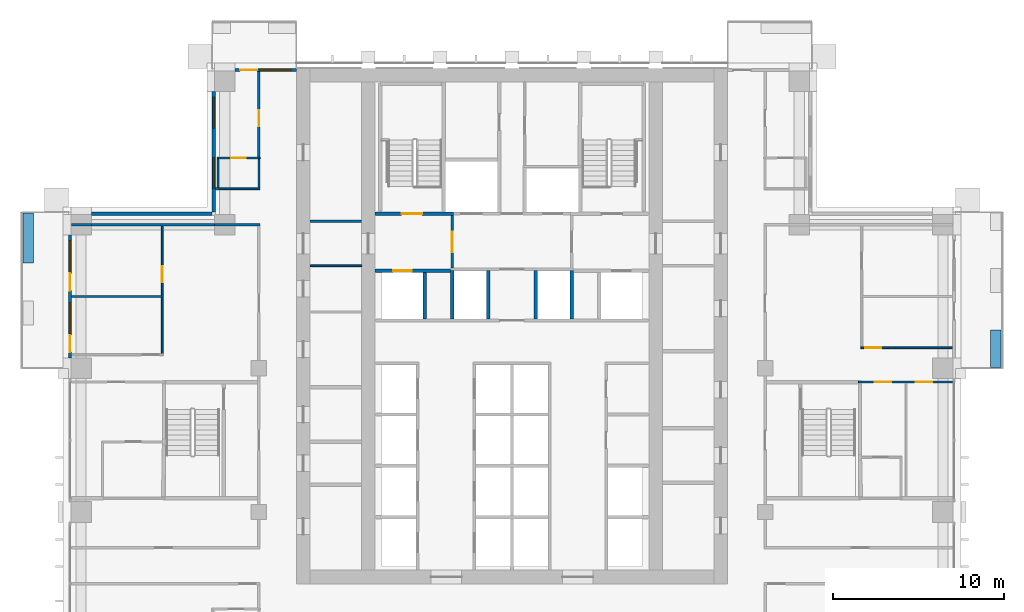
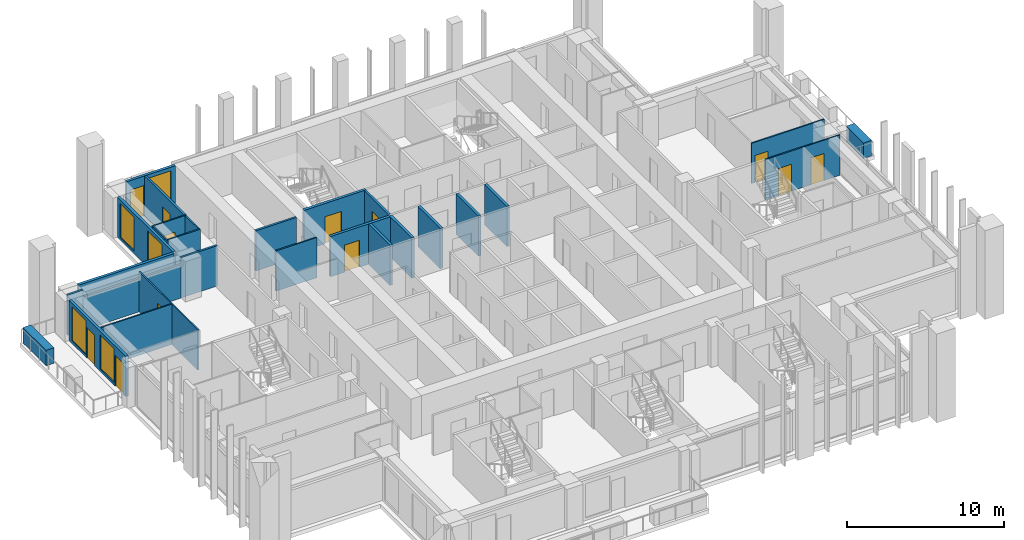
# One storey, part 10 of 17: 29 walls, 12 doors, 5 windows, 17 openings.
"""IFC4 building model written with IfcOpenShell, lengths in metres."""

from ifc_helpers import new_model, si_unit, direction, frame, frame_2d, origin, place, context, subcontext, project, spatial, rectangle, extrude, material, layer, layer_set, type_object, element, fill, save


model = new_model("IFC4")

# Units and contexts
model_context = context("Model", 3, precision=1e-05, world=origin(), true_north=direction((0.0, 1.0)))
body_context = subcontext(model_context, "Body", "Model", "MODEL_VIEW")
ifc_project = project(units=[si_unit("LENGTHUNIT", "METRE"), si_unit("AREAUNIT", "SQUARE_METRE"), si_unit("VOLUMEUNIT", "CUBIC_METRE"), si_unit("PLANEANGLEUNIT", "RADIAN"), si_unit("MASSUNIT", "GRAM", prefix="KILO")], contexts=[model_context])

# Site, building, storey
site_placement = place(None, origin())
site = spatial("IfcSite", under=ifc_project, at=site_placement, CompositionType="ELEMENT")
building_placement = place(site_placement, origin())
building = spatial("IfcBuilding", under=site, at=building_placement, Name="Vermilion Ogive Tower", CompositionType="ELEMENT")
storey_placement = place(building_placement, frame((0.0, 0.0, 111.449951171875)))
storey = spatial("IfcBuildingStorey", under=building, at=storey_placement, Name="L28", CompositionType="ELEMENT", Elevation=111.449951171875)

# Wall
ifc_material_1 = material(Name="Gypsum board partition on steel studs", Category="steel")
ifc_layer_1 = layer(ifc_material_1, 0.10009765625)
ifc_layer_set_1 = layer_set([ifc_layer_1], Name="Partition 100 bath")
wall_type_1 = type_object("IfcWallType", Name="Partition 100 bath", PredefinedType="PARTITIONING", material=ifc_layer_set_1)
wall_1_placement = place(storey_placement, frame((-17.25, 14.699951171875, 0.0), z_axis=(0.0, 0.0, 1.0), x_axis=(1.0, 0.0, 0.0)))
element("IfcWall", 1, at=wall_1_placement, inside=storey, type_object=wall_type_1, Name="L28-W-W038", PredefinedType="PARTITIONING", context=body_context, shape_type="SweptSolid", body=[
    extrude(rectangle(XDim=2.5, YDim=0.10009765625, at=frame_2d((1.25, 0.0))), origin(), (0.0, 0.0, 1.0), 3.130126953125),
])

# Wall, opening, door
wall_2_placement = place(storey_placement, frame((-17.25, 16.5, 0.0), z_axis=(0.0, 0.0, 1.0), x_axis=(1.0, 0.0, 0.0)))
wall_2 = element("IfcWall", 2, at=wall_2_placement, inside=storey, type_object=wall_type_1, Name="L28-W-W041", PredefinedType="PARTITIONING", context=body_context, shape_type="SweptSolid", body=[
    extrude(rectangle(XDim=2.52490234375, YDim=0.10009765625, at=frame_2d((1.262451171875, 0.0))), origin(), (0.0, 0.0, 1.0), 3.130126953125),
])
opening_1_placement = place(wall_2_placement, frame((0.824951171875, 0.0, 0.0)))
opening_1 = element("IfcOpeningElement", 3, at=opening_1_placement, cuts=wall_2, Name="Opening D2G5009", PredefinedType="OPENING", context=body_context, shape_type="SweptSolid", body=[
    extrude(rectangle(XDim=0.85009765625, YDim=2.10009765625, at=frame_2d((0.425048828125, 1.050048828125))), frame((0.0, 0.06005859375, 0.0), z_axis=(0.0, -1.0, 0.0), x_axis=(1.0, 0.0, 0.0)), (0.0, 0.0, 1.0), 0.1201171875),
])
ifc_material_2 = material(Name="Timber door leaf", Category="wood")
door_type_1 = type_object("IfcDoorType", Name="Bath door 850 x 2100 FD30", OperationType="SINGLE_SWING_LEFT", PredefinedType="DOOR", material=ifc_material_2)
door_1_placement = place(opening_1_placement, origin())
door_1 = element("IfcDoor", 4, at=door_1_placement, inside=storey, type_object=door_type_1, Name="L28-D-D009", OperationType="SINGLE_SWING_RIGHT", OverallHeight=2.10009765625, OverallWidth=0.85009765625, PredefinedType="DOOR", context=body_context, shape_type="SweptSolid", body=[
    extrude(rectangle(XDim=0.85009765625, YDim=2.10009765625, at=frame_2d((0.425048828125, 1.050048828125))), frame((0.0, 0.02490234375, 0.0), z_axis=(0.0, -1.0, 0.0), x_axis=(1.0, 0.0, 0.0)), (0.0, 0.0, 1.0), 0.050048828125),
])
fill(opening_1, door_1)

# Walls
wall_3_placement = place(storey_placement, frame((-17.199951171875, 14.77490234375, 0.0), z_axis=(0.0, 0.0, 1.0), x_axis=(0.0, 1.0, 0.0)))
element("IfcWall", 5, at=wall_3_placement, inside=storey, type_object=wall_type_1, Name="L28-W-W048", PredefinedType="PARTITIONING", context=body_context, shape_type="SweptSolid", body=[
    extrude(rectangle(XDim=1.675048828125, YDim=0.10009765625, at=frame_2d((0.83740234375, 0.0))), origin(), (0.0, 0.0, 1.0), 3.130126953125),
])
wall_4_placement = place(storey_placement, frame((-14.800048828125, 14.75, 0.0), z_axis=(0.0, 0.0, 1.0), x_axis=(0.0, 1.0, 0.0)))
element("IfcWall", 6, at=wall_4_placement, inside=storey, type_object=wall_type_1, Name="L28-W-W053", PredefinedType="PARTITIONING", context=body_context, shape_type="SweptSolid", body=[
    extrude(rectangle(XDim=1.699951171875, YDim=0.10009765625, at=frame_2d((0.85009765625, 0.0))), origin(), (0.0, 0.0, 1.0), 3.130126953125),
])
wall_5_placement = place(storey_placement, frame((-11.799072265625, 10.199951171875, 0.0), z_axis=(0.0, 0.0, 1.0), x_axis=(1.0, 0.0, 0.0)))
element("IfcWall", 7, at=wall_5_placement, inside=storey, type_object=wall_type_1, Name="L28-CKW-W-W005", PredefinedType="PARTITIONING", context=body_context, shape_type="SweptSolid", body=[
    extrude(rectangle(XDim=2.998046875, YDim=0.10009765625, at=frame_2d((1.4990234375, 0.0))), origin(), (0.0, 0.0, 1.0), 3.130126953125),
])

# Wall, openings, doors
ifc_material_3 = material(Name="Gypsum board partition on steel studs", Category="steel")
ifc_layer_2 = layer(ifc_material_3, 0.10009765625)
ifc_layer_set_2 = layer_set([ifc_layer_2], Name="Partition 100 inner")
wall_type_2 = type_object("IfcWallType", Name="Partition 100 inner", PredefinedType="PARTITIONING", material=ifc_layer_set_2)
wall_6_placement = place(storey_placement, frame((20.25, 3.39990234375, 0.0), z_axis=(0.0, 0.0, 1.0), x_axis=(1.0, 0.0, 0.0)))
wall_6 = element("IfcWall", 8, at=wall_6_placement, inside=storey, type_object=wall_type_2, Name="L28-W-W030", PredefinedType="PARTITIONING", context=body_context, shape_type="SweptSolid", body=[
    extrude(rectangle(XDim=5.5, YDim=0.10009765625, at=frame_2d((2.75, 0.0))), origin(), (0.0, 0.0, 1.0), 3.130126953125),
])
opening_2_placement = place(wall_6_placement, frame((3.375, 0.0, 0.0)))
opening_2 = element("IfcOpeningElement", 9, at=opening_2_placement, cuts=wall_6, Name="Opening D2G5015", PredefinedType="OPENING", context=body_context, shape_type="SweptSolid", body=[
    extrude(rectangle(XDim=0.949951171875, YDim=2.10009765625, at=frame_2d((0.47509765625, 1.050048828125))), frame((0.0, 0.06005859375, 0.0), z_axis=(0.0, -1.0, 0.0), x_axis=(1.0, 0.0, 0.0)), (0.0, 0.0, 1.0), 0.1201171875),
])
opening_3_placement = place(wall_6_placement, frame((0.97509765625, 0.0, 0.0)))
opening_3 = element("IfcOpeningElement", 10, at=opening_3_placement, cuts=wall_6, Name="Opening D2G5019", PredefinedType="OPENING", context=body_context, shape_type="SweptSolid", body=[
    extrude(rectangle(XDim=0.949951171875, YDim=2.10009765625, at=frame_2d((0.47509765625, 1.050048828125))), frame((0.0, 0.06005859375, 0.0), z_axis=(0.0, -1.0, 0.0), x_axis=(1.0, 0.0, 0.0)), (0.0, 0.0, 1.0), 0.1201171875),
])
ifc_material_4 = material(Name="Timber door leaf", Category="wood")
door_type_2 = type_object("IfcDoorType", Name="Inner door 950 x 2100 FD30", OperationType="SINGLE_SWING_LEFT", PredefinedType="DOOR", material=ifc_material_4)
door_2_placement = place(opening_2_placement, origin())
door_2 = element("IfcDoor", 11, at=door_2_placement, inside=storey, type_object=door_type_2, Name="L28-D-D015", OperationType="SINGLE_SWING_RIGHT", OverallHeight=2.10009765625, OverallWidth=0.949951171875, PredefinedType="DOOR", context=body_context, shape_type="SweptSolid", body=[
    extrude(rectangle(XDim=0.949951171875, YDim=2.10009765625, at=frame_2d((0.47509765625, 1.050048828125))), frame((0.0, 0.02490234375, 0.0), z_axis=(0.0, -1.0, 0.0), x_axis=(1.0, 0.0, 0.0)), (0.0, 0.0, 1.0), 0.050048828125),
])
fill(opening_2, door_2)
door_3_placement = place(opening_3_placement, origin())
door_3 = element("IfcDoor", 12, at=door_3_placement, inside=storey, type_object=door_type_2, Name="L28-D-D019", OperationType="SINGLE_SWING_RIGHT", OverallHeight=2.10009765625, OverallWidth=0.949951171875, PredefinedType="DOOR", context=body_context, shape_type="SweptSolid", body=[
    extrude(rectangle(XDim=0.949951171875, YDim=2.10009765625, at=frame_2d((0.47509765625, 1.050048828125))), frame((0.0, 0.02490234375, 0.0), z_axis=(0.0, -1.0, 0.0), x_axis=(1.0, 0.0, 0.0)), (0.0, 0.0, 1.0), 0.050048828125),
])
fill(opening_3, door_3)

# Wall, opening, door
wall_7_placement = place(storey_placement, frame((20.39990234375, 5.39990234375, 0.0), z_axis=(0.0, 0.0, 1.0), x_axis=(1.0, 0.0, 0.0)))
wall_7 = element("IfcWall", 13, at=wall_7_placement, inside=storey, type_object=wall_type_2, Name="L28-W-W032", PredefinedType="PARTITIONING", context=body_context, shape_type="SweptSolid", body=[
    extrude(rectangle(XDim=5.35009765625, YDim=0.10009765625, at=frame_2d((2.675048828125, 0.0))), origin(), (0.0, 0.0, 1.0), 3.130126953125),
])
opening_4_placement = place(wall_7_placement, frame((0.25, 0.0, 0.0)))
opening_4 = element("IfcOpeningElement", 14, at=opening_4_placement, cuts=wall_7, Name="Opening D2G5016", PredefinedType="OPENING", context=body_context, shape_type="SweptSolid", body=[
    extrude(rectangle(XDim=0.949951171875, YDim=2.10009765625, at=frame_2d((0.47509765625, 1.050048828125))), frame((0.0, 0.06005859375, 0.0), z_axis=(0.0, -1.0, 0.0), x_axis=(1.0, 0.0, 0.0)), (0.0, 0.0, 1.0), 0.1201171875),
])
door_4_placement = place(opening_4_placement, origin())
door_4 = element("IfcDoor", 15, at=door_4_placement, inside=storey, type_object=door_type_2, Name="L28-D-D016", OperationType="SINGLE_SWING_LEFT", OverallHeight=2.10009765625, OverallWidth=0.949951171875, PredefinedType="DOOR", context=body_context, shape_type="SweptSolid", body=[
    extrude(rectangle(XDim=0.949951171875, YDim=2.10009765625, at=frame_2d((0.47509765625, 1.050048828125))), frame((0.0, 0.02490234375, 0.0), z_axis=(0.0, -1.0, 0.0), x_axis=(1.0, 0.0, 0.0)), (0.0, 0.0, 1.0), 0.050048828125),
])
fill(opening_4, door_4)

# Wall
wall_8_placement = place(storey_placement, frame((-25.75, 8.39990234375, 0.0), z_axis=(0.0, 0.0, 1.0), x_axis=(1.0, 0.0, 0.0)))
element("IfcWall", 16, at=wall_8_placement, inside=storey, type_object=wall_type_2, Name="L28-W-W033", PredefinedType="PARTITIONING", context=body_context, shape_type="SweptSolid", body=[
    extrude(rectangle(XDim=5.25, YDim=0.10009765625, at=frame_2d((2.625, 0.0))), origin(), (0.0, 0.0, 1.0), 3.130126953125),
])

# Wall, opening, door
wall_9_placement = place(storey_placement, frame((-20.449951171875, 5.050048828125, 0.0), z_axis=(0.0, 0.0, 1.0), x_axis=(0.0, 1.0, 0.0)))
wall_9 = element("IfcWall", 17, at=wall_9_placement, inside=storey, type_object=wall_type_2, Name="L28-W-W044", PredefinedType="PARTITIONING", context=body_context, shape_type="SweptSolid", body=[
    extrude(rectangle(XDim=7.474853515625, YDim=0.10009765625, at=frame_2d((3.7373046875, 0.0))), origin(), (0.0, 0.0, 1.0), 3.130126953125),
])
opening_5_placement = place(wall_9_placement, frame((4.175048828125, 0.0, 0.0)))
opening_5 = element("IfcOpeningElement", 18, at=opening_5_placement, cuts=wall_9, Name="Opening D2G5004", PredefinedType="OPENING", context=body_context, shape_type="SweptSolid", body=[
    extrude(rectangle(XDim=0.949951171875, YDim=2.10009765625, at=frame_2d((0.47509765625, 1.050048828125))), frame((0.0, 0.06005859375, 0.0), z_axis=(0.0, -1.0, 0.0), x_axis=(1.0, 0.0, 0.0)), (0.0, 0.0, 1.0), 0.1201171875),
])
door_5_placement = place(opening_5_placement, origin())
door_5 = element("IfcDoor", 19, at=door_5_placement, inside=storey, type_object=door_type_2, Name="L28-D-D004", OperationType="SINGLE_SWING_LEFT", OverallHeight=2.10009765625, OverallWidth=0.949951171875, PredefinedType="DOOR", context=body_context, shape_type="SweptSolid", body=[
    extrude(rectangle(XDim=0.949951171875, YDim=2.10009765625, at=frame_2d((0.47509765625, 1.050048828125))), frame((0.0, 0.02490234375, 0.0), z_axis=(0.0, -1.0, 0.0), x_axis=(1.0, 0.0, 0.0)), (0.0, 0.0, 1.0), 0.050048828125),
])
fill(opening_5, door_5)

# Walls
ifc_material_5 = material(Name="Gypsum board partition on steel studs", Category="steel")
ifc_layer_3 = layer(ifc_material_5, 0.14990234375)
ifc_layer_set_3 = layer_set([ifc_layer_3], Name="Partition 150 corridor")
wall_type_3 = type_object("IfcWallType", Name="Partition 150 corridor", PredefinedType="PARTITIONING", material=ifc_layer_set_3)
wall_10_placement = place(storey_placement, frame((-25.75, 12.60009765625, 0.0), z_axis=(0.0, 0.0, 1.0), x_axis=(1.0, 0.0, 0.0)))
element("IfcWall", 20, at=wall_10_placement, inside=storey, type_object=wall_type_3, Name="L28-W-W035", PredefinedType="PARTITIONING", context=body_context, shape_type="SweptSolid", body=[
    extrude(rectangle(XDim=1.14990234375, YDim=0.14990234375, at=frame_2d((0.574951171875, 0.0))), origin(), (0.0, 0.0, 1.0), 3.130126953125),
])
wall_11_placement = place(storey_placement, frame((-17.35009765625, 14.699951171875, 0.0), z_axis=(0.0, 0.0, 1.0), x_axis=(1.0, 0.0, 0.0)))
element("IfcWall", 21, at=wall_11_placement, inside=storey, type_object=wall_type_3, Name="L28-W-W037", PredefinedType="PARTITIONING", context=body_context, shape_type="SweptSolid", body=[
    extrude(rectangle(XDim=0.2001953125, YDim=0.14990234375, at=frame_2d((0.10009765625, 0.0))), origin(), (0.0, 0.0, 1.0), 3.130126953125),
])

# Wall, opening, door
wall_12_placement = place(storey_placement, frame((-14.800048828125, 16.550048828125, 0.0), z_axis=(0.0, 0.0, 1.0), x_axis=(0.0, 1.0, 0.0)))
wall_12 = element("IfcWall", 22, at=wall_12_placement, inside=storey, type_object=wall_type_3, Name="L28-W-W054", PredefinedType="PARTITIONING", context=body_context, shape_type="SweptSolid", body=[
    extrude(rectangle(XDim=5.0, YDim=0.14990234375, at=frame_2d((2.5, 0.0))), origin(), (0.0, 0.0, 1.0), 3.130126953125),
])
opening_6_placement = place(wall_12_placement, frame((1.800048828125, 0.0, 0.0)))
opening_6 = element("IfcOpeningElement", 23, at=opening_6_placement, cuts=wall_12, Name="Opening D2G5008", PredefinedType="OPENING", context=body_context, shape_type="SweptSolid", body=[
    extrude(rectangle(XDim=0.949951171875, YDim=2.10009765625, at=frame_2d((0.47509765625, 1.050048828125))), frame((0.0, 0.0849609375, 0.0), z_axis=(0.0, -1.0, 0.0), x_axis=(1.0, 0.0, 0.0)), (0.0, 0.0, 1.0), 0.169921875),
])
ifc_material_6 = material(Name="Timber door leaf", Category="wood")
door_type_3 = type_object("IfcDoorType", Name="Unit door 950 x 2100 FD30S", OperationType="SINGLE_SWING_LEFT", PredefinedType="DOOR", material=ifc_material_6)
door_6_placement = place(opening_6_placement, origin())
door_6 = element("IfcDoor", 24, at=door_6_placement, inside=storey, type_object=door_type_3, Name="L28-D-D008", OperationType="SINGLE_SWING_RIGHT", OverallHeight=2.10009765625, OverallWidth=0.949951171875, PredefinedType="DOOR", context=body_context, shape_type="SweptSolid", body=[
    extrude(rectangle(XDim=0.949951171875, YDim=2.10009765625, at=frame_2d((0.47509765625, 1.050048828125))), frame((0.0, 0.02490234375, 0.0), z_axis=(0.0, -1.0, 0.0), x_axis=(1.0, 0.0, 0.0)), (0.0, 0.0, 1.0), 0.050048828125),
])
fill(opening_6, door_6)

wall_13_placement = place(storey_placement, frame((-3.5, 10.074951171875, 0.0), z_axis=(0.0, 0.0, 1.0), x_axis=(0.0, 1.0, 0.0)))
wall_13 = element("IfcWall", 25, at=wall_13_placement, inside=storey, type_object=wall_type_3, Name="L28-CK-W-W026", PredefinedType="PARTITIONING", context=body_context, shape_type="SweptSolid", body=[
    extrude(rectangle(XDim=3.074951171875, YDim=0.14990234375, at=frame_2d((1.53759765625, 0.0))), origin(), (0.0, 0.0, 1.0), 3.130126953125),
])
opening_7_placement = place(wall_13_placement, frame((0.925048828125, 0.0, 0.0)))
opening_7 = element("IfcOpeningElement", 26, at=opening_7_placement, cuts=wall_13, Name="Opening DAA230", PredefinedType="OPENING", context=body_context, shape_type="SweptSolid", body=[
    extrude(rectangle(XDim=1.199951171875, YDim=2.10009765625, at=frame_2d((0.60009765625, 1.050048828125))), frame((0.0, 0.0849609375, 0.0), z_axis=(0.0, -1.0, 0.0), x_axis=(1.0, 0.0, 0.0)), (0.0, 0.0, 1.0), 0.169921875),
])
ifc_material_7 = material(Name="Timber door leaf", Category="wood")
door_type_4 = type_object("IfcDoorType", Name="Lobby door 1200 x 2100 FD60S", OperationType="SINGLE_SWING_LEFT", PredefinedType="DOOR", material=ifc_material_7)
door_7_placement = place(opening_7_placement, origin())
door_7 = element("IfcDoor", 27, at=door_7_placement, inside=storey, type_object=door_type_4, Name="L28-CK-D-D022", OperationType="SINGLE_SWING_RIGHT", OverallHeight=2.10009765625, OverallWidth=1.199951171875, PredefinedType="DOOR", context=body_context, shape_type="SweptSolid", body=[
    extrude(rectangle(XDim=1.199951171875, YDim=2.10009765625, at=frame_2d((0.60009765625, 1.050048828125))), frame((0.0, 0.02490234375, 0.0), z_axis=(0.0, -1.0, 0.0), x_axis=(1.0, 0.0, 0.0)), (0.0, 0.0, 1.0), 0.050048828125),
])
fill(opening_7, door_7)

# Walls
wall_14_placement = place(storey_placement, frame((-11.799072265625, 12.800048828125, 0.0), z_axis=(0.0, 0.0, 1.0), x_axis=(1.0, 0.0, 0.0)))
element("IfcWall", 28, at=wall_14_placement, inside=storey, type_object=wall_type_3, Name="L28-CKW-W-W006", PredefinedType="PARTITIONING", context=body_context, shape_type="SweptSolid", body=[
    extrude(rectangle(XDim=2.998046875, YDim=0.14990234375, at=frame_2d((1.4990234375, 0.0))), origin(), (0.0, 0.0, 1.0), 3.130126953125),
])
wall_15_placement = place(storey_placement, frame((-24.60009765625, 12.60009765625, 0.0), z_axis=(0.0, 0.0, 1.0), x_axis=(1.0, 0.0, 0.0)))
element("IfcWall", 29, at=wall_15_placement, inside=storey, type_object=wall_type_3, Name="L28-W-W035-h1", PredefinedType="PARTITIONING", context=body_context, shape_type="SweptSolid", body=[
    extrude(rectangle(XDim=7.2001953125, YDim=0.14990234375, at=frame_2d((3.60009765625, 0.0))), origin(), (0.0, 0.0, 1.0), 2.580078125),
])
wall_16_placement = place(storey_placement, frame((-17.39990234375, 12.60009765625, 0.0), z_axis=(0.0, 0.0, 1.0), x_axis=(1.0, 0.0, 0.0)))
element("IfcWall", 30, at=wall_16_placement, inside=storey, type_object=wall_type_3, Name="L28-W-W035-h2", PredefinedType="PARTITIONING", context=body_context, shape_type="SweptSolid", body=[
    extrude(rectangle(XDim=2.6748046875, YDim=0.14990234375, at=frame_2d((1.33740234375, 0.0))), origin(), (0.0, 0.0, 1.0), 3.130126953125),
])

# Wall, opening, door
ifc_material_8 = material(Name="Gypsum board partition on steel studs", Category="steel")
ifc_layer_4 = layer(ifc_material_8, 0.199951171875)
ifc_layer_set_4 = layer_set([ifc_layer_4], Name="Partition 200 party")
wall_type_4 = type_object("IfcWallType", Name="Partition 200 party", PredefinedType="PARTITIONING", material=ifc_layer_set_4)
wall_17_placement = place(storey_placement, frame((-7.9990234375, 9.89990234375, 0.0), z_axis=(0.0, 0.0, 1.0), x_axis=(1.0, 0.0, 0.0)))
wall_17 = element("IfcWall", 31, at=wall_17_placement, inside=storey, type_object=wall_type_4, Name="L28-CK-W-W014", PredefinedType="PARTITIONING", context=body_context, shape_type="SweptSolid", body=[
    extrude(rectangle(XDim=4.39892578125, YDim=0.199951171875, at=frame_2d((2.199462890625, 0.0))), origin(), (0.0, 0.0, 1.0), 3.130126953125),
])
opening_8_placement = place(wall_17_placement, frame((1.049072265625, 0.0, 0.0)))
opening_8 = element("IfcOpeningElement", 32, at=opening_8_placement, cuts=wall_17, Name="Opening DAA251", PredefinedType="OPENING", context=body_context, shape_type="SweptSolid", body=[
    extrude(rectangle(XDim=1.10009765625, YDim=2.10009765625, at=frame_2d((0.550048828125, 1.050048828125))), frame((0.0, 0.10986328125, 0.0), z_axis=(0.0, -1.0, 0.0), x_axis=(1.0, 0.0, 0.0)), (0.0, 0.0, 1.0), 0.219970703125),
])
ifc_material_9 = material(Name="Stainless steel", Category="steel")
door_type_5 = type_object("IfcDoorType", Name="Lift landing door 1100 x 2100", OperationType="SLIDING_TO_LEFT", PredefinedType="DOOR", material=ifc_material_9)
door_8_placement = place(opening_8_placement, origin())
door_8 = element("IfcDoor", 33, at=door_8_placement, inside=storey, type_object=door_type_5, Name="L28-CK-D-D012", OperationType="SLIDING_TO_LEFT", OverallHeight=2.10009765625, OverallWidth=1.10009765625, PredefinedType="DOOR", context=body_context, shape_type="SweptSolid", body=[
    extrude(rectangle(XDim=1.10009765625, YDim=2.10009765625, at=frame_2d((0.550048828125, 1.050048828125))), frame((0.0, 0.02490234375, 0.0), z_axis=(0.0, -1.0, 0.0), x_axis=(1.0, 0.0, 0.0)), (0.0, 0.0, 1.0), 0.050048828125),
])
fill(opening_8, door_8)

# Walls
wall_18_placement = place(storey_placement, frame((-5.10009765625, 7.074951171875, 0.0), z_axis=(0.0, 0.0, 1.0), x_axis=(0.0, 1.0, 0.0)))
element("IfcWall", 34, at=wall_18_placement, inside=storey, type_object=wall_type_4, Name="L28-CK-W-W023", PredefinedType="PARTITIONING", context=body_context, shape_type="SweptSolid", body=[
    extrude(rectangle(XDim=2.72509765625, YDim=0.199951171875, at=frame_2d((1.362548828125, 0.0))), origin(), (0.0, 0.0, 1.0), 3.130126953125),
])
for number, where, z_axis, x_axis, name in (
    (35, (-3.5, 7.074951171875, 0.0), (0.0, 0.0, 1.0), (0.0, 1.0, 0.0), "L28-CK-W-W025"),
    (36, (-1.39990234375, 7.074951171875, 0.0), (0.0, 0.0, 1.0), (0.0, 1.0, 0.0), "L28-CK-W-W028"),
    (37, (1.39990234375, 7.074951171875, 0.0), (0.0, 0.0, 1.0), (0.0, 1.0, 0.0), "L28-CK-W-W033"),
    (38, (3.5, 7.074951171875, 0.0), (0.0, 0.0, 1.0), (0.0, 1.0, 0.0), "L28-CK-W-W035"),
):
    element("IfcWall", number, at=place(storey_placement, frame(where, z_axis=z_axis, x_axis=x_axis)), inside=storey, type_object=wall_type_4, Name=name, PredefinedType="PARTITIONING", context=body_context, shape_type="SweptSolid", body=[
        extrude(rectangle(XDim=2.85009765625, YDim=0.199951171875, at=frame_2d((1.425048828125, 0.0))), origin(), (0.0, 0.0, 1.0), 3.130126953125),
    ])

# Wall, opening, door
ifc_material_10 = material(Name="Concrete B60", Category="concrete")
ifc_layer_5 = layer(ifc_material_10, 0.199951171875)
ifc_layer_set_5 = layer_set([ifc_layer_5], Name="Stair shaft wall 200 Concrete B60")
wall_type_5 = type_object("IfcWallType", Name="Stair shaft wall 200 Concrete B60", PredefinedType="SOLIDWALL", material=ifc_layer_set_5)
wall_19_placement = place(storey_placement, frame((-7.9990234375, 13.25, 0.0), z_axis=(0.0, 0.0, 1.0), x_axis=(1.0, 0.0, 0.0)))
wall_19 = element("IfcWall", 39, at=wall_19_placement, inside=storey, type_object=wall_type_5, Name="L28-CK-W-W017", PredefinedType="SOLIDWALL", context=body_context, shape_type="SweptSolid", body=[
    extrude(rectangle(XDim=4.573974609375, YDim=0.199951171875, at=frame_2d((2.287109375, 0.0))), origin(), (0.0, 0.0, 1.0), 3.130126953125),
])
opening_9_placement = place(wall_19_placement, frame((1.549072265625, 0.0, 0.0)))
opening_9 = element("IfcOpeningElement", 40, at=opening_9_placement, cuts=wall_19, Name="Opening DAA239", PredefinedType="OPENING", context=body_context, shape_type="SweptSolid", body=[
    extrude(rectangle(XDim=1.199951171875, YDim=2.10009765625, at=frame_2d((0.60009765625, 1.050048828125))), frame((0.0, 0.10986328125, 0.0), z_axis=(0.0, -1.0, 0.0), x_axis=(1.0, 0.0, 0.0)), (0.0, 0.0, 1.0), 0.219970703125),
])
ifc_material_11 = material(Name="Timber door leaf", Category="wood")
door_type_6 = type_object("IfcDoorType", Name="Stair door 1200 x 2100 FD60S", OperationType="SINGLE_SWING_LEFT", PredefinedType="DOOR", material=ifc_material_11)
door_9_placement = place(opening_9_placement, origin())
door_9 = element("IfcDoor", 41, at=door_9_placement, inside=storey, type_object=door_type_6, Name="L28-CK-D-D011", OperationType="SINGLE_SWING_LEFT", OverallHeight=2.10009765625, OverallWidth=1.199951171875, PredefinedType="DOOR", context=body_context, shape_type="SweptSolid", body=[
    extrude(rectangle(XDim=1.199951171875, YDim=2.10009765625, at=frame_2d((0.60009765625, 1.050048828125))), frame((0.0, 0.02490234375, 0.0), z_axis=(0.0, -1.0, 0.0), x_axis=(1.0, 0.0, 0.0)), (0.0, 0.0, 1.0), 0.050048828125),
])
fill(opening_9, door_9)

# Walls
ifc_material_12 = material(Name="Concrete B40", Category="concrete")
ifc_layer_6 = layer(ifc_material_12, 0.60009765625)
ifc_layer_set_6 = layer_set([ifc_layer_6], Name="Structural planter")
wall_type_6 = type_object("IfcWallType", Name="Structural planter", PredefinedType="USERDEFINED", material=ifc_layer_set_6)
wall_20_placement = place(storey_placement, frame((28.2939453125, 4.260009765625, -0.0400390625), z_axis=(0.0, 0.0, 1.0), x_axis=(0.0, 1.0, 0.0)))
element("IfcWall", 42, at=wall_20_placement, inside=storey, type_object=wall_type_6, Name="Planter E03A1", ObjectType="PLANTER", PredefinedType="USERDEFINED", context=body_context, shape_type="SweptSolid", body=[
    extrude(rectangle(XDim=2.18994140625, YDim=0.60009765625, at=frame_2d((1.094970703125, 0.0))), origin(), (0.0, 0.0, 1.0), 1.2001953125),
])
wall_21_placement = place(storey_placement, frame((-28.2939453125, 13.2900390625, -0.0400390625), z_axis=(0.0, 0.0, 1.0), x_axis=(0.0, -1.0, 0.0)))
element("IfcWall", 43, at=wall_21_placement, inside=storey, type_object=wall_type_6, Name="Planter W01A1", ObjectType="PLANTER", PredefinedType="USERDEFINED", context=body_context, shape_type="SweptSolid", body=[
    extrude(rectangle(XDim=2.93994140625, YDim=0.60009765625, at=frame_2d((1.469970703125, 0.0))), origin(), (0.0, 0.0, 1.0), 1.2001953125),
])

# Wall, openings, door, window
ifc_material_13 = material(Name="Aluminium window wall framing", Category="aluminium")
ifc_layer_7 = layer(ifc_material_13, 0.199951171875)
ifc_layer_set_7 = layer_set([ifc_layer_7], Name="Window wall")
wall_type_7 = type_object("IfcWallType", Name="Window wall", PredefinedType="STANDARD", material=ifc_layer_set_7)
wall_22_placement = place(storey_placement, frame((-12.60009765625, 21.64990234375, 0.0), z_axis=(0.0, 0.0, 1.0), x_axis=(-1.0, 0.0, 0.0)))
wall_22 = element("IfcWall", 44, at=wall_22_placement, inside=storey, type_object=wall_type_7, Name="Window wall N21", PredefinedType="STANDARD", context=body_context, shape_type="SweptSolid", body=[
    extrude(rectangle(XDim=3.599853515625, YDim=0.199951171875, at=frame_2d((1.7998046875, 0.0))), origin(), (0.0, 0.0, 1.0), 3.130126953125),
])
opening_10_placement = place(wall_22_placement, frame((0.35009765625, 0.0, 0.199951171875)))
opening_10 = element("IfcOpeningElement", 45, at=opening_10_placement, cuts=wall_22, Name="Opening W1-N296", PredefinedType="OPENING", context=body_context, shape_type="SweptSolid", body=[
    extrude(rectangle(XDim=1.800048828125, YDim=2.64990234375, at=frame_2d((0.89990234375, 1.324951171875))), frame((0.0, 0.10986328125, 0.0), z_axis=(0.0, -1.0, 0.0), x_axis=(1.0, 0.0, 0.0)), (0.0, 0.0, 1.0), 0.219970703125),
])
opening_11_placement = place(wall_22_placement, frame((2.300048828125, 0.0, 0.0)))
opening_11 = element("IfcOpeningElement", 46, at=opening_11_placement, cuts=wall_22, Name="Opening D1-N296", PredefinedType="OPENING", context=body_context, shape_type="SweptSolid", body=[
    extrude(rectangle(XDim=1.0, YDim=2.39990234375, at=frame_2d((0.5, 1.199951171875))), frame((0.0, 0.10986328125, 0.0), z_axis=(0.0, -1.0, 0.0), x_axis=(1.0, 0.0, 0.0)), (0.0, 0.0, 1.0), 0.219970703125),
])
ifc_material_14 = material(Name="Aluminium framed glazed door", Category="aluminium")
door_type_7 = type_object("IfcDoorType", Name="Balcony door D1", OperationType="SINGLE_SWING_LEFT", PredefinedType="DOOR", material=ifc_material_14)
door_10_placement = place(opening_11_placement, origin())
door_10 = element("IfcDoor", 47, at=door_10_placement, inside=storey, type_object=door_type_7, Name="Balcony door N296", OperationType="SINGLE_SWING_LEFT", OverallHeight=2.39990234375, OverallWidth=1.0, PredefinedType="DOOR", context=body_context, shape_type="SweptSolid", body=[
    extrude(rectangle(XDim=1.0, YDim=2.39990234375, at=frame_2d((0.5, 1.199951171875))), frame((0.0, 0.02490234375, 0.0), z_axis=(0.0, -1.0, 0.0), x_axis=(1.0, 0.0, 0.0)), (0.0, 0.0, 1.0), 0.050048828125),
])
fill(opening_11, door_10)
ifc_material_15 = material(Name="Aluminium framed double glazing", Category="aluminium")
window_type = type_object("IfcWindowType", Name="Guest window W1", PartitioningType="SINGLE_PANEL", PredefinedType="WINDOW", material=ifc_material_15)
window_1_placement = place(opening_10_placement, origin())
window_1 = element("IfcWindow", 48, at=window_1_placement, inside=storey, type_object=window_type, Name="Window N296", OverallHeight=2.64990234375, OverallWidth=1.800048828125, PartitioningType="SINGLE_PANEL", PredefinedType="WINDOW", context=body_context, shape_type="SweptSolid", body=[
    extrude(rectangle(XDim=1.800048828125, YDim=2.64990234375, at=frame_2d((0.89990234375, 1.324951171875))), frame((0.0, 0.030029296875, 0.0), z_axis=(0.0, -1.0, 0.0), x_axis=(1.0, 0.0, 0.0)), (0.0, 0.0, 1.0), 0.06005859375),
])
fill(opening_10, window_1)

# Wall, openings, windows
wall_23_placement = place(storey_placement, frame((-17.449951171875, 20.39990234375, 0.0), z_axis=(0.0, 0.0, 1.0), x_axis=(0.0, -1.0, 0.0)))
wall_23 = element("IfcWall", 49, at=wall_23_placement, inside=storey, type_object=wall_type_7, Name="Window wall X51", PredefinedType="STANDARD", context=body_context, shape_type="SweptSolid", body=[
    extrude(rectangle(XDim=7.0498046875, YDim=0.199951171875, at=frame_2d((3.52490234375, 0.0))), origin(), (0.0, 0.0, 1.0), 3.130126953125),
])
opening_12_placement = place(wall_23_placement, frame((3.875, 0.0, 0.199951171875)))
opening_12 = element("IfcOpeningElement", 50, at=opening_12_placement, cuts=wall_23, Name="Opening W1-X503", PredefinedType="OPENING", context=body_context, shape_type="SweptSolid", body=[
    extrude(rectangle(XDim=1.800048828125, YDim=2.64990234375, at=frame_2d((0.89990234375, 1.324951171875))), frame((0.0, 0.10986328125, 0.0), z_axis=(0.0, -1.0, 0.0), x_axis=(1.0, 0.0, 0.0)), (0.0, 0.0, 1.0), 0.219970703125),
])
opening_13_placement = place(wall_23_placement, frame((0.35009765625, 0.0, 0.199951171875)))
opening_13 = element("IfcOpeningElement", 51, at=opening_13_placement, cuts=wall_23, Name="Opening W1-X504", PredefinedType="OPENING", context=body_context, shape_type="SweptSolid", body=[
    extrude(rectangle(XDim=1.800048828125, YDim=2.64990234375, at=frame_2d((0.89990234375, 1.324951171875))), frame((0.0, 0.10986328125, 0.0), z_axis=(0.0, -1.0, 0.0), x_axis=(1.0, 0.0, 0.0)), (0.0, 0.0, 1.0), 0.219970703125),
])
window_2_placement = place(opening_12_placement, origin())
window_2 = element("IfcWindow", 52, at=window_2_placement, inside=storey, type_object=window_type, Name="Window X503", OverallHeight=2.64990234375, OverallWidth=1.800048828125, PartitioningType="SINGLE_PANEL", PredefinedType="WINDOW", context=body_context, shape_type="SweptSolid", body=[
    extrude(rectangle(XDim=1.800048828125, YDim=2.64990234375, at=frame_2d((0.89990234375, 1.324951171875))), frame((0.0, 0.030029296875, 0.0), z_axis=(0.0, -1.0, 0.0), x_axis=(1.0, 0.0, 0.0)), (0.0, 0.0, 1.0), 0.06005859375),
])
fill(opening_12, window_2)
window_3_placement = place(opening_13_placement, origin())
window_3 = element("IfcWindow", 53, at=window_3_placement, inside=storey, type_object=window_type, Name="Window X504", OverallHeight=2.64990234375, OverallWidth=1.800048828125, PartitioningType="SINGLE_PANEL", PredefinedType="WINDOW", context=body_context, shape_type="SweptSolid", body=[
    extrude(rectangle(XDim=1.800048828125, YDim=2.64990234375, at=frame_2d((0.89990234375, 1.324951171875))), frame((0.0, 0.030029296875, 0.0), z_axis=(0.0, -1.0, 0.0), x_axis=(1.0, 0.0, 0.0)), (0.0, 0.0, 1.0), 0.06005859375),
])
fill(opening_13, window_3)

# Wall
wall_24_placement = place(storey_placement, frame((-17.550048828125, 13.25, 0.0), z_axis=(0.0, 0.0, 1.0), x_axis=(-1.0, 0.0, 0.0)))
element("IfcWall", 54, at=wall_24_placement, inside=storey, type_object=wall_type_7, Name="Window wall X61", PredefinedType="STANDARD", context=body_context, shape_type="SweptSolid", body=[
    extrude(rectangle(XDim=7.050048828125, YDim=0.199951171875, at=frame_2d((3.52490234375, 0.0))), origin(), (0.0, 0.0, 1.0), 3.130126953125),
])

# Wall, openings, doors, windows
wall_25_placement = place(storey_placement, frame((-25.85009765625, 12.0, 0.0), z_axis=(0.0, 0.0, 1.0), x_axis=(0.0, -1.0, 0.0)))
wall_25 = element("IfcWall", 55, at=wall_25_placement, inside=storey, type_object=wall_type_7, Name="Window wall W1", PredefinedType="STANDARD", context=body_context, shape_type="SweptSolid", body=[
    extrude(rectangle(XDim=7.199951171875, YDim=0.199951171875, at=frame_2d((3.60009765625, 0.0))), origin(), (0.0, 0.0, 1.0), 3.130126953125),
])
opening_14_placement = place(wall_25_placement, frame((3.949951171875, 0.0, 0.199951171875)))
opening_14 = element("IfcOpeningElement", 56, at=opening_14_placement, cuts=wall_25, Name="Opening W1-W01", PredefinedType="OPENING", context=body_context, shape_type="SweptSolid", body=[
    extrude(rectangle(XDim=1.800048828125, YDim=2.64990234375, at=frame_2d((0.89990234375, 1.324951171875))), frame((0.0, 0.10986328125, 0.0), z_axis=(0.0, -1.0, 0.0), x_axis=(1.0, 0.0, 0.0)), (0.0, 0.0, 1.0), 0.219970703125),
])
opening_15_placement = place(wall_25_placement, frame((5.85009765625, 0.0, 0.0)))
opening_15 = element("IfcOpeningElement", 57, at=opening_15_placement, cuts=wall_25, Name="Opening D1-W01", PredefinedType="OPENING", context=body_context, shape_type="SweptSolid", body=[
    extrude(rectangle(XDim=1.0, YDim=2.39990234375, at=frame_2d((0.5, 1.199951171875))), frame((0.0, 0.10986328125, 0.0), z_axis=(0.0, -1.0, 0.0), x_axis=(1.0, 0.0, 0.0)), (0.0, 0.0, 1.0), 0.219970703125),
])
opening_16_placement = place(wall_25_placement, frame((0.35009765625, 0.0, 0.199951171875)))
opening_16 = element("IfcOpeningElement", 58, at=opening_16_placement, cuts=wall_25, Name="Opening W1-W02", PredefinedType="OPENING", context=body_context, shape_type="SweptSolid", body=[
    extrude(rectangle(XDim=1.800048828125, YDim=2.64990234375, at=frame_2d((0.89990234375, 1.324951171875))), frame((0.0, 0.10986328125, 0.0), z_axis=(0.0, -1.0, 0.0), x_axis=(1.0, 0.0, 0.0)), (0.0, 0.0, 1.0), 0.219970703125),
])
opening_17_placement = place(wall_25_placement, frame((2.25, 0.0, 0.0)))
opening_17 = element("IfcOpeningElement", 59, at=opening_17_placement, cuts=wall_25, Name="Opening D1-W02", PredefinedType="OPENING", context=body_context, shape_type="SweptSolid", body=[
    extrude(rectangle(XDim=1.0, YDim=2.39990234375, at=frame_2d((0.5, 1.199951171875))), frame((0.0, 0.10986328125, 0.0), z_axis=(0.0, -1.0, 0.0), x_axis=(1.0, 0.0, 0.0)), (0.0, 0.0, 1.0), 0.219970703125),
])
door_11_placement = place(opening_15_placement, origin())
door_11 = element("IfcDoor", 60, at=door_11_placement, inside=storey, type_object=door_type_7, Name="Balcony door W01", OperationType="SINGLE_SWING_LEFT", OverallHeight=2.39990234375, OverallWidth=1.0, PredefinedType="DOOR", context=body_context, shape_type="SweptSolid", body=[
    extrude(rectangle(XDim=1.0, YDim=2.39990234375, at=frame_2d((0.5, 1.199951171875))), frame((0.0, 0.02490234375, 0.0), z_axis=(0.0, -1.0, 0.0), x_axis=(1.0, 0.0, 0.0)), (0.0, 0.0, 1.0), 0.050048828125),
])
fill(opening_15, door_11)
door_12_placement = place(opening_17_placement, origin())
door_12 = element("IfcDoor", 61, at=door_12_placement, inside=storey, type_object=door_type_7, Name="Balcony door W02", OperationType="SINGLE_SWING_LEFT", OverallHeight=2.39990234375, OverallWidth=1.0, PredefinedType="DOOR", context=body_context, shape_type="SweptSolid", body=[
    extrude(rectangle(XDim=1.0, YDim=2.39990234375, at=frame_2d((0.5, 1.199951171875))), frame((0.0, 0.02490234375, 0.0), z_axis=(0.0, -1.0, 0.0), x_axis=(1.0, 0.0, 0.0)), (0.0, 0.0, 1.0), 0.050048828125),
])
fill(opening_17, door_12)
window_4_placement = place(opening_14_placement, origin())
window_4 = element("IfcWindow", 62, at=window_4_placement, inside=storey, type_object=window_type, Name="Window W01", OverallHeight=2.64990234375, OverallWidth=1.800048828125, PartitioningType="SINGLE_PANEL", PredefinedType="WINDOW", context=body_context, shape_type="SweptSolid", body=[
    extrude(rectangle(XDim=1.800048828125, YDim=2.64990234375, at=frame_2d((0.89990234375, 1.324951171875))), frame((0.0, 0.030029296875, 0.0), z_axis=(0.0, -1.0, 0.0), x_axis=(1.0, 0.0, 0.0)), (0.0, 0.0, 1.0), 0.06005859375),
])
fill(opening_14, window_4)
window_5_placement = place(opening_16_placement, origin())
window_5 = element("IfcWindow", 63, at=window_5_placement, inside=storey, type_object=window_type, Name="Window W02", OverallHeight=2.64990234375, OverallWidth=1.800048828125, PartitioningType="SINGLE_PANEL", PredefinedType="WINDOW", context=body_context, shape_type="SweptSolid", body=[
    extrude(rectangle(XDim=1.800048828125, YDim=2.64990234375, at=frame_2d((0.89990234375, 1.324951171875))), frame((0.0, 0.030029296875, 0.0), z_axis=(0.0, -1.0, 0.0), x_axis=(1.0, 0.0, 0.0)), (0.0, 0.0, 1.0), 0.06005859375),
])
fill(opening_16, window_5)

save(model, "model.ifc")
